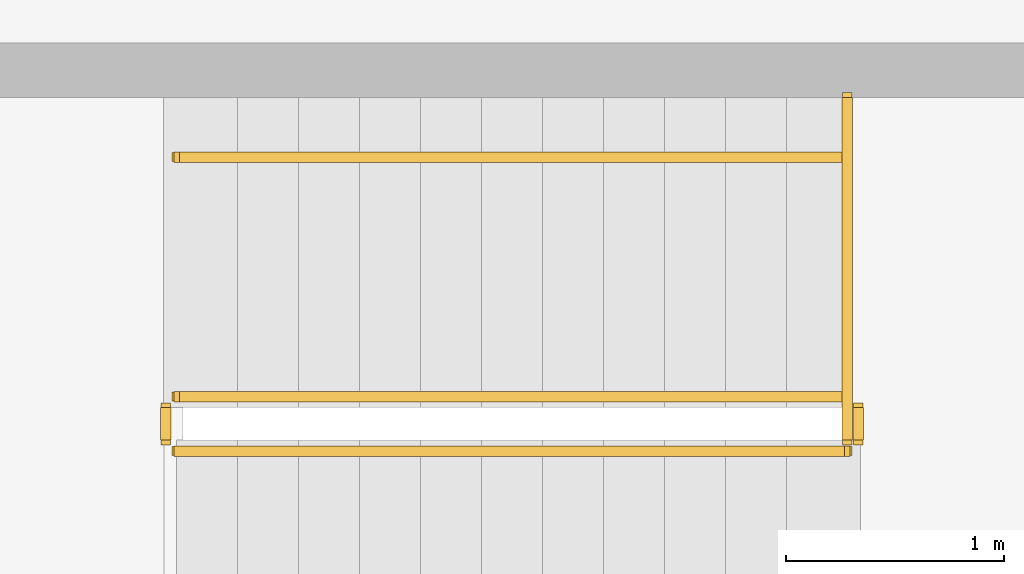
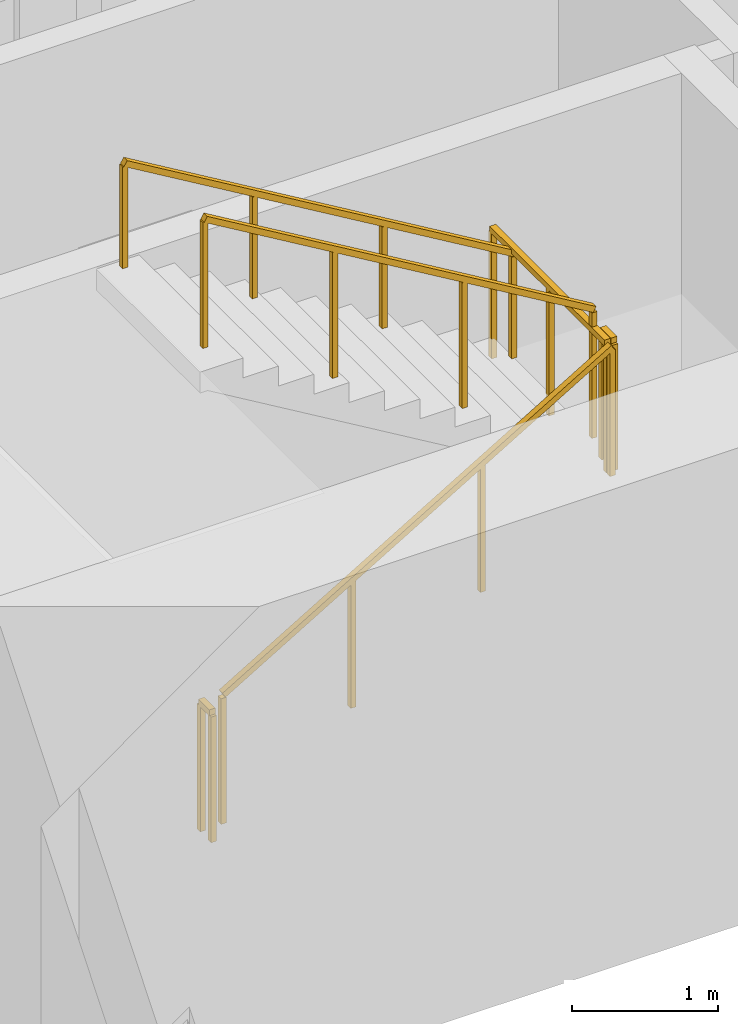
# One storey, part 13 of 16: 6 railings.
"""IFC4 building model written with IfcOpenShell, lengths in metres."""

from ifc_helpers import new_model, si_unit, direction, frame, origin, origin_2d, place, context, subcontext, project, spatial, rectangle, extrude, material, type_object, element, save


model = new_model("IFC4")

# Units and contexts
model_context = context("Model", 3, precision=1e-05, world=origin(), true_north=direction((0.0, 1.0)))
body_context = subcontext(model_context, "Body", "Model", "MODEL_VIEW")
ifc_project = project(units=[si_unit("LENGTHUNIT", "METRE"), si_unit("AREAUNIT", "SQUARE_METRE"), si_unit("VOLUMEUNIT", "CUBIC_METRE"), si_unit("PLANEANGLEUNIT", "RADIAN"), si_unit("MASSUNIT", "GRAM", prefix="KILO")], contexts=[model_context])

# Site, building, storey
site_placement = place(None, origin())
site = spatial("IfcSite", under=ifc_project, at=site_placement, CompositionType="ELEMENT")
building_placement = place(site_placement, origin())
building = spatial("IfcBuilding", under=site, at=building_placement, Name="Sennacour Bend Tower", CompositionType="ELEMENT")
storey_placement = place(building_placement, frame((0.0, 0.0, 235.0)))
storey = spatial("IfcBuildingStorey", under=building, at=storey_placement, Name="L54", CompositionType="ELEMENT", Elevation=235.0)

# Railings
ifc_material = material(Name="Stainless steel", Category="steel")
railing_type_1 = type_object("IfcRailingType", Name="RL-GUARD-1100", PredefinedType="GUARDRAIL", material=ifc_material)
railing_1_placement = place(storey_placement, frame((56.699951171875, 2.449951171875, 0.166748046875)))
element("IfcRailing", 1, at=railing_1_placement, inside=storey, type_object=railing_type_1, Name="L54 SA1 stair guard 1", PredefinedType="GUARDRAIL", context=body_context, shape_type="SweptSolid", body=[
    extrude(rectangle(XDim=0.048095703125, YDim=0.048095703125, at=origin_2d()), frame((0.0, 0.0, 1.076171875), z_axis=(0.859308565015, 0.0, 0.511457515432), x_axis=(0.0, 1.0, 0.0)), (0.0, 0.0, 1.0), 3.58447265625),
    extrude(rectangle(XDim=0.0419921875, YDim=0.0419921875, at=origin_2d()), origin(), (0.0, 0.0, 1.0), 1.052001953125),
    extrude(rectangle(XDim=0.0419921875, YDim=0.0419921875, at=origin_2d()), frame((1.026611328125, 0.0, 0.611083984375)), (0.0, 0.0, 1.0), 1.052001953125),
    extrude(rectangle(XDim=0.0419921875, YDim=0.0419921875, at=origin_2d()), frame((2.053466796875, 0.0, 1.22216796875)), (0.0, 0.0, 1.0), 1.052001953125),
    extrude(rectangle(XDim=0.0419921875, YDim=0.0419921875, at=origin_2d()), frame((3.080078125, 0.0, 1.833251953125)), (0.0, 0.0, 1.0), 1.052001953125),
])
railing_2_placement = place(storey_placement, frame((59.830078125, 2.5, 2.0)))
element("IfcRailing", 2, at=railing_2_placement, inside=storey, type_object=railing_type_1, Name="L54 SA1 stair guard 2", PredefinedType="GUARDRAIL", context=body_context, shape_type="SweptSolid", body=[
    extrude(rectangle(XDim=0.048095703125, YDim=0.048095703125, at=origin_2d()), frame((0.0, 0.0, 1.076171875), z_axis=(0.0, 1.0, 0.0), x_axis=(-1.0, 0.0, 0.0)), (0.0, 0.0, 1.0), 0.14990234375),
    extrude(rectangle(XDim=0.0419921875, YDim=0.0419921875, at=origin_2d()), origin(), (0.0, 0.0, 1.0), 1.052001953125),
    extrude(rectangle(XDim=0.0419921875, YDim=0.0419921875, at=origin_2d()), frame((0.0, 0.14990234375, 0.0)), (0.0, 0.0, 1.0), 1.052001953125),
])
railing_3_placement = place(storey_placement, frame((59.780029296875, 2.699951171875, 2.166748046875)))
element("IfcRailing", 3, at=railing_3_placement, inside=storey, type_object=railing_type_1, Name="L54 SA1 stair guard 4", PredefinedType="GUARDRAIL", context=body_context, shape_type="SweptSolid", body=[
    extrude(rectangle(XDim=0.048095703125, YDim=0.048095703125, at=origin_2d()), frame((0.0, 0.0, 1.076171875), z_axis=(-0.859308565015, 0.0, 0.511457515432), x_axis=(0.0, -1.0, 0.0)), (0.0, 0.0, 1.0), 3.58447265625),
    extrude(rectangle(XDim=0.0419921875, YDim=0.0419921875, at=origin_2d()), origin(), (0.0, 0.0, 1.0), 1.052001953125),
    extrude(rectangle(XDim=0.0419921875, YDim=0.0419921875, at=origin_2d()), frame((-1.026611328125, 0.0, 0.611083984375)), (0.0, 0.0, 1.0), 1.052001953125),
    extrude(rectangle(XDim=0.0419921875, YDim=0.0419921875, at=origin_2d()), frame((-2.053466796875, 0.0, 1.22216796875)), (0.0, 0.0, 1.0), 1.052001953125),
    extrude(rectangle(XDim=0.0419921875, YDim=0.0419921875, at=origin_2d()), frame((-3.080078125, 0.0, 1.833251953125)), (0.0, 0.0, 1.0), 1.052001953125),
])
railing_4_placement = place(storey_placement, frame((56.64990234375, 2.5, 0.0)))
element("IfcRailing", 4, at=railing_4_placement, inside=storey, type_object=railing_type_1, Name="L54 SA1 stair guard 5", PredefinedType="GUARDRAIL", context=body_context, shape_type="SweptSolid", body=[
    extrude(rectangle(XDim=0.048095703125, YDim=0.048095703125, at=origin_2d()), frame((0.0, 0.0, 1.076171875), z_axis=(0.0, 1.0, 0.0), x_axis=(-1.0, 0.0, 0.0)), (0.0, 0.0, 1.0), 0.14990234375),
    extrude(rectangle(XDim=0.0419921875, YDim=0.0419921875, at=origin_2d()), origin(), (0.0, 0.0, 1.0), 1.052001953125),
    extrude(rectangle(XDim=0.0419921875, YDim=0.0419921875, at=origin_2d()), frame((0.0, 0.14990234375, 0.0)), (0.0, 0.0, 1.0), 1.052001953125),
])
railing_5_placement = place(storey_placement, frame((59.780029296875, 2.5, 2.0)))
element("IfcRailing", 5, at=railing_5_placement, inside=storey, type_object=railing_type_1, Name="L54 SA1 landing edge guard 76", PredefinedType="GUARDRAIL", context=body_context, shape_type="SweptSolid", body=[
    extrude(rectangle(XDim=0.048095703125, YDim=0.048095703125, at=origin_2d()), frame((0.0, 0.0, 1.076171875), z_axis=(0.0, 1.0, 0.0), x_axis=(-1.0, 0.0, 0.0)), (0.0, 0.0, 1.0), 1.574951171875),
    extrude(rectangle(XDim=0.0419921875, YDim=0.0419921875, at=origin_2d()), origin(), (0.0, 0.0, 1.0), 1.052001953125),
    extrude(rectangle(XDim=0.0419921875, YDim=0.0419921875, at=origin_2d()), frame((0.0, 0.78759765625, 0.0)), (0.0, 0.0, 1.0), 1.052001953125),
    extrude(rectangle(XDim=0.0419921875, YDim=0.0419921875, at=origin_2d()), frame((0.0, 1.574951171875, 0.0)), (0.0, 0.0, 1.0), 1.052001953125),
])
railing_type_2 = type_object("IfcRailingType", Name="RL-HANDRAIL-900", PredefinedType="HANDRAIL", material=ifc_material)
railing_6_placement = place(storey_placement, frame((59.780029296875, 3.800048828125, 2.166748046875)))
element("IfcRailing", 6, at=railing_6_placement, inside=storey, type_object=railing_type_2, Name="L54 SA1 stair handrail 2", PredefinedType="HANDRAIL", context=body_context, shape_type="SweptSolid", body=[
    extrude(rectangle(XDim=0.048095703125, YDim=0.048095703125, at=origin_2d()), frame((0.0, 0.0, 0.8759765625), z_axis=(-0.859308565015, 0.0, 0.511457515432), x_axis=(0.0, -1.0, 0.0)), (0.0, 0.0, 1.0), 3.58447265625),
    extrude(rectangle(XDim=0.0419921875, YDim=0.0419921875, at=origin_2d()), origin(), (0.0, 0.0, 1.0), 0.851806640625),
    extrude(rectangle(XDim=0.0419921875, YDim=0.0419921875, at=origin_2d()), frame((-1.026611328125, 0.0, 0.611083984375)), (0.0, 0.0, 1.0), 0.851806640625),
    extrude(rectangle(XDim=0.0419921875, YDim=0.0419921875, at=origin_2d()), frame((-2.053466796875, 0.0, 1.22216796875)), (0.0, 0.0, 1.0), 0.851806640625),
    extrude(rectangle(XDim=0.0419921875, YDim=0.0419921875, at=origin_2d()), frame((-3.080078125, 0.0, 1.833251953125)), (0.0, 0.0, 1.0), 0.851806640625),
])

save(model, "model.ifc")
